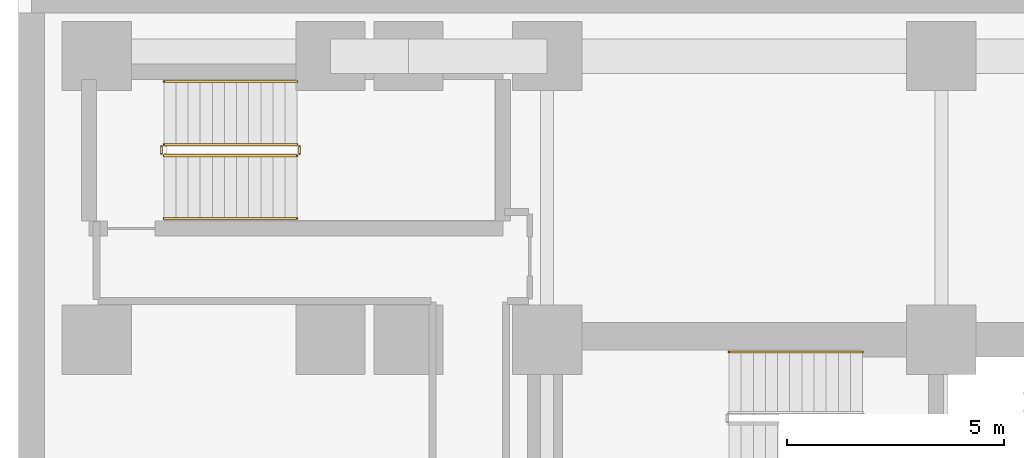
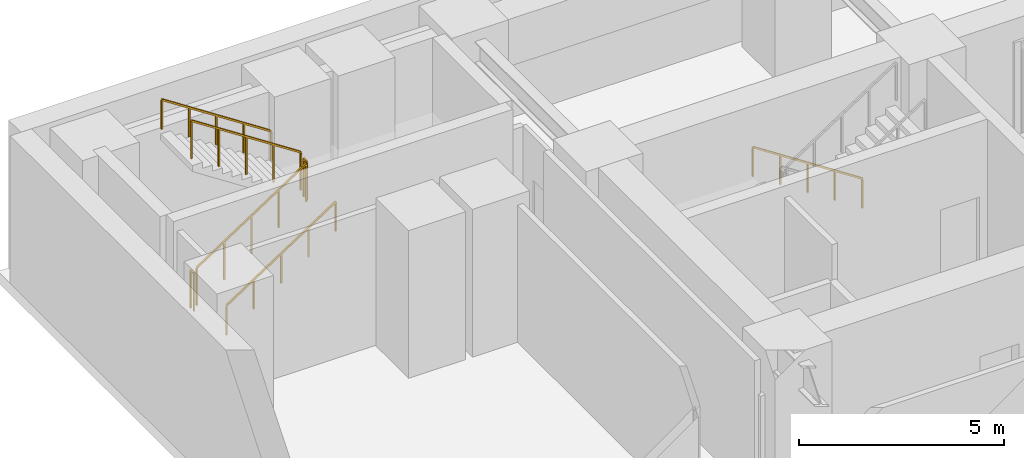
# One storey, part 8 of 9: 7 railings.
"""IFC4 building model written with IfcOpenShell, lengths in metres."""

from ifc_helpers import new_model, si_unit, direction, frame, origin, origin_2d, place, context, subcontext, project, spatial, rectangle, extrude, material, type_object, element, save


model = new_model("IFC4")

# Units and contexts
model_context = context("Model", 3, precision=1e-05, world=origin(), true_north=direction((0.0, 1.0)))
body_context = subcontext(model_context, "Body", "Model", "MODEL_VIEW")
ifc_project = project(units=[si_unit("LENGTHUNIT", "METRE"), si_unit("AREAUNIT", "SQUARE_METRE"), si_unit("VOLUMEUNIT", "CUBIC_METRE"), si_unit("PLANEANGLEUNIT", "RADIAN"), si_unit("MASSUNIT", "GRAM", prefix="KILO")], contexts=[model_context])

# Site, building, storey
site_placement = place(None, origin())
site = spatial("IfcSite", under=ifc_project, at=site_placement, CompositionType="ELEMENT")
building_placement = place(site_placement, origin())
building = spatial("IfcBuilding", under=site, at=building_placement, Name="Zarnavel Station Tower", CompositionType="ELEMENT")
storey_placement = place(building_placement, frame((0.0, 0.0, -8.800048828125)))
storey = spatial("IfcBuildingStorey", under=building, at=storey_placement, Name="B02", CompositionType="ELEMENT", Elevation=-8.800048828125)

# Railings
ifc_material_1 = material(Name="Painted Steel S355J2 Balustrade", Category="steel")
railing_type_1 = type_object("IfcRailingType", Name="GR_INT_1150", PredefinedType="GUARDRAIL", material=ifc_material_1)
railing_1_placement = place(storey_placement, frame((3.35009765625, 41.300048828125, 0.183349609375)))
element("IfcRailing", 1, at=railing_1_placement, inside=storey, type_object=railing_type_1, Name="B02 ST4 stair guard 1", PredefinedType="GUARDRAIL", context=body_context, shape_type="SweptSolid", body=[
    extrude(rectangle(XDim=0.048095703125, YDim=0.048095703125, at=origin_2d()), frame((0.001708984375, 0.0, 1.126953125), z_axis=(0.836613101238, 0.0, 0.547794230379), x_axis=(0.0, 1.0, 0.0)), (0.0, 0.0, 1.0), 3.67724609375),
    extrude(rectangle(XDim=0.0419921875, YDim=0.0419921875, at=origin_2d()), origin(), (0.0, 0.0, 1.0), 1.101806640625),
    extrude(rectangle(XDim=0.0419921875, YDim=0.0419921875, at=origin_2d()), frame((0.77001953125, 0.0, 0.504150390625)), (0.0, 0.0, 1.0), 1.101806640625),
    extrude(rectangle(XDim=0.0419921875, YDim=0.0419921875, at=origin_2d()), frame((1.5400390625, 0.0, 1.00830078125)), (0.0, 0.0, 1.0), 1.101806640625),
    extrude(rectangle(XDim=0.0419921875, YDim=0.0419921875, at=origin_2d()), frame((2.309814453125, 0.0, 1.512451171875)), (0.0, 0.0, 1.0), 1.101806640625),
    extrude(rectangle(XDim=0.0419921875, YDim=0.0419921875, at=origin_2d()), frame((3.079833984375, 0.0, 2.0166015625)), (0.0, 0.0, 1.0), 1.101806640625),
])
railing_2_placement = place(storey_placement, frame((6.47998046875, 41.35009765625, 2.199951171875)))
element("IfcRailing", 2, at=railing_2_placement, inside=storey, type_object=railing_type_1, Name="B02 ST4 stair guard 2", PredefinedType="GUARDRAIL", context=body_context, shape_type="SweptSolid", body=[
    extrude(rectangle(XDim=0.048095703125, YDim=0.048095703125, at=origin_2d()), frame((0.0, 0.001953125, 1.1259765625), z_axis=(0.0, 1.0, 0.0), x_axis=(-1.0, 0.0, 0.0)), (0.0, 0.0, 1.0), 0.156005859375),
    extrude(rectangle(XDim=0.0419921875, YDim=0.0419921875, at=origin_2d()), origin(), (0.0, 0.0, 1.0), 1.101806640625),
    extrude(rectangle(XDim=0.0419921875, YDim=0.0419921875, at=origin_2d()), frame((0.0, 0.159912109375, 0.0)), (0.0, 0.0, 1.0), 1.101806640625),
])
railing_3_placement = place(storey_placement, frame((6.429931640625, 41.56005859375, 2.38330078125)))
element("IfcRailing", 3, at=railing_3_placement, inside=storey, type_object=railing_type_1, Name="B02 ST4 stair guard 3", PredefinedType="GUARDRAIL", context=body_context, shape_type="SweptSolid", body=[
    extrude(rectangle(XDim=0.048095703125, YDim=0.048095703125, at=origin_2d()), frame((-0.001708984375, 0.0, 1.126953125), z_axis=(-0.836582707638, 0.0, 0.547840645882), x_axis=(0.0, -1.0, 0.0)), (0.0, 0.0, 1.0), 3.677490234375),
    extrude(rectangle(XDim=0.0419921875, YDim=0.0419921875, at=origin_2d()), origin(), (0.0, 0.0, 1.0), 1.101806640625),
    extrude(rectangle(XDim=0.0419921875, YDim=0.0419921875, at=origin_2d()), frame((-0.77001953125, 0.0, 0.504150390625)), (0.0, 0.0, 1.0), 1.101806640625),
    extrude(rectangle(XDim=0.0419921875, YDim=0.0419921875, at=origin_2d()), frame((-1.5400390625, 0.0, 1.00830078125)), (0.0, 0.0, 1.0), 1.101806640625),
    extrude(rectangle(XDim=0.0419921875, YDim=0.0419921875, at=origin_2d()), frame((-2.309814453125, 0.0, 1.5126953125)), (0.0, 0.0, 1.0), 1.101806640625),
    extrude(rectangle(XDim=0.0419921875, YDim=0.0419921875, at=origin_2d()), frame((-3.079833984375, 0.0, 2.016845703125)), (0.0, 0.0, 1.0), 1.101806640625),
])
railing_4_placement = place(storey_placement, frame((3.300048828125, 41.35009765625, 0.0)))
element("IfcRailing", 4, at=railing_4_placement, inside=storey, type_object=railing_type_1, Name="B02 ST4 stair guard 4", PredefinedType="GUARDRAIL", context=body_context, shape_type="SweptSolid", body=[
    extrude(rectangle(XDim=0.048095703125, YDim=0.048095703125, at=origin_2d()), frame((0.0, 0.001953125, 1.1259765625), z_axis=(0.0, 1.0, 0.0), x_axis=(-1.0, 0.0, 0.0)), (0.0, 0.0, 1.0), 0.156005859375),
    extrude(rectangle(XDim=0.0419921875, YDim=0.0419921875, at=origin_2d()), origin(), (0.0, 0.0, 1.0), 1.101806640625),
    extrude(rectangle(XDim=0.0419921875, YDim=0.0419921875, at=origin_2d()), frame((0.0, 0.159912109375, 0.0)), (0.0, 0.0, 1.0), 1.101806640625),
])
ifc_material_2 = material(Name="Brushed Stainless Steel S355J2 Handrail", Category="steel")
railing_type_2 = type_object("IfcRailingType", Name="HR_STAIR_900", PredefinedType="HANDRAIL", material=ifc_material_2)
railing_5_placement = place(storey_placement, frame((19.47998046875, 36.77001953125, 0.183349609375)))
element("IfcRailing", 5, at=railing_5_placement, inside=storey, type_object=railing_type_2, Name="B02 ST1 stair handrail 1", PredefinedType="HANDRAIL", context=body_context, shape_type="SweptSolid", body=[
    extrude(rectangle(XDim=0.048095703125, YDim=0.048095703125, at=origin_2d()), frame((-0.001708984375, 0.0, 0.876953125), z_axis=(-0.836633000464, 0.0, 0.547763838287), x_axis=(0.0, -1.0, 0.0)), (0.0, 0.0, 1.0), 3.677490234375),
    extrude(rectangle(XDim=0.0419921875, YDim=0.0419921875, at=origin_2d()), origin(), (0.0, 0.0, 1.0), 0.851806640625),
    extrude(rectangle(XDim=0.0419921875, YDim=0.0419921875, at=origin_2d()), frame((-0.77001953125, 0.0, 0.504150390625)), (0.0, 0.0, 1.0), 0.851806640625),
    extrude(rectangle(XDim=0.0419921875, YDim=0.0419921875, at=origin_2d()), frame((-1.5400390625, 0.0, 1.00830078125)), (0.0, 0.0, 1.0), 0.851806640625),
    extrude(rectangle(XDim=0.0419921875, YDim=0.0419921875, at=origin_2d()), frame((-2.31005859375, 0.0, 1.512451171875)), (0.0, 0.0, 1.0), 0.851806640625),
    extrude(rectangle(XDim=0.0419921875, YDim=0.0419921875, at=origin_2d()), frame((-3.080078125, 0.0, 2.0166015625)), (0.0, 0.0, 1.0), 0.851806640625),
])
railing_6_placement = place(storey_placement, frame((3.35009765625, 39.85009765625, 0.183349609375)))
element("IfcRailing", 6, at=railing_6_placement, inside=storey, type_object=railing_type_2, Name="B02 ST4 stair handrail 1", PredefinedType="HANDRAIL", context=body_context, shape_type="SweptSolid", body=[
    extrude(rectangle(XDim=0.048095703125, YDim=0.048095703125, at=origin_2d()), frame((0.001708984375, 0.0, 0.876953125), z_axis=(0.836613101238, 0.0, 0.547794230379), x_axis=(0.0, 1.0, 0.0)), (0.0, 0.0, 1.0), 3.67724609375),
    extrude(rectangle(XDim=0.0419921875, YDim=0.0419921875, at=origin_2d()), origin(), (0.0, 0.0, 1.0), 0.851806640625),
    extrude(rectangle(XDim=0.0419921875, YDim=0.0419921875, at=origin_2d()), frame((0.77001953125, 0.0, 0.504150390625)), (0.0, 0.0, 1.0), 0.851806640625),
    extrude(rectangle(XDim=0.0419921875, YDim=0.0419921875, at=origin_2d()), frame((1.5400390625, 0.0, 1.00830078125)), (0.0, 0.0, 1.0), 0.851806640625),
    extrude(rectangle(XDim=0.0419921875, YDim=0.0419921875, at=origin_2d()), frame((2.309814453125, 0.0, 1.512451171875)), (0.0, 0.0, 1.0), 0.851806640625),
    extrude(rectangle(XDim=0.0419921875, YDim=0.0419921875, at=origin_2d()), frame((3.079833984375, 0.0, 2.0166015625)), (0.0, 0.0, 1.0), 0.851806640625),
])
railing_7_placement = place(storey_placement, frame((6.429931640625, 43.010009765625, 2.38330078125)))
element("IfcRailing", 7, at=railing_7_placement, inside=storey, type_object=railing_type_2, Name="B02 ST4 stair handrail 2", PredefinedType="HANDRAIL", context=body_context, shape_type="SweptSolid", body=[
    extrude(rectangle(XDim=0.048095703125, YDim=0.048095703125, at=origin_2d()), frame((-0.001708984375, 0.0, 0.876953125), z_axis=(-0.836582707638, 0.0, 0.547840645882), x_axis=(0.0, -1.0, 0.0)), (0.0, 0.0, 1.0), 3.677490234375),
    extrude(rectangle(XDim=0.0419921875, YDim=0.0419921875, at=origin_2d()), origin(), (0.0, 0.0, 1.0), 0.851806640625),
    extrude(rectangle(XDim=0.0419921875, YDim=0.0419921875, at=origin_2d()), frame((-0.77001953125, 0.0, 0.504150390625)), (0.0, 0.0, 1.0), 0.851806640625),
    extrude(rectangle(XDim=0.0419921875, YDim=0.0419921875, at=origin_2d()), frame((-1.5400390625, 0.0, 1.00830078125)), (0.0, 0.0, 1.0), 0.851806640625),
    extrude(rectangle(XDim=0.0419921875, YDim=0.0419921875, at=origin_2d()), frame((-2.309814453125, 0.0, 1.5126953125)), (0.0, 0.0, 1.0), 0.851806640625),
    extrude(rectangle(XDim=0.0419921875, YDim=0.0419921875, at=origin_2d()), frame((-3.079833984375, 0.0, 2.016845703125)), (0.0, 0.0, 1.0), 0.851806640625),
])

save(model, "model.ifc")
